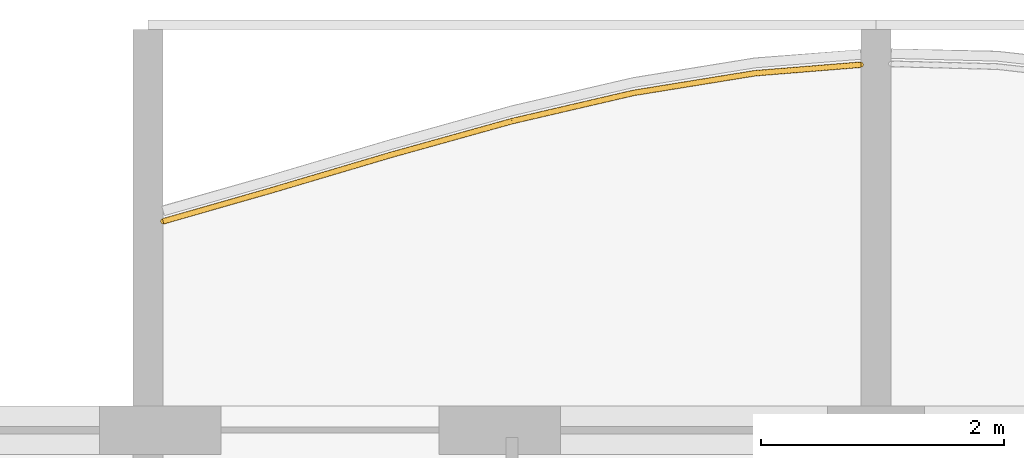
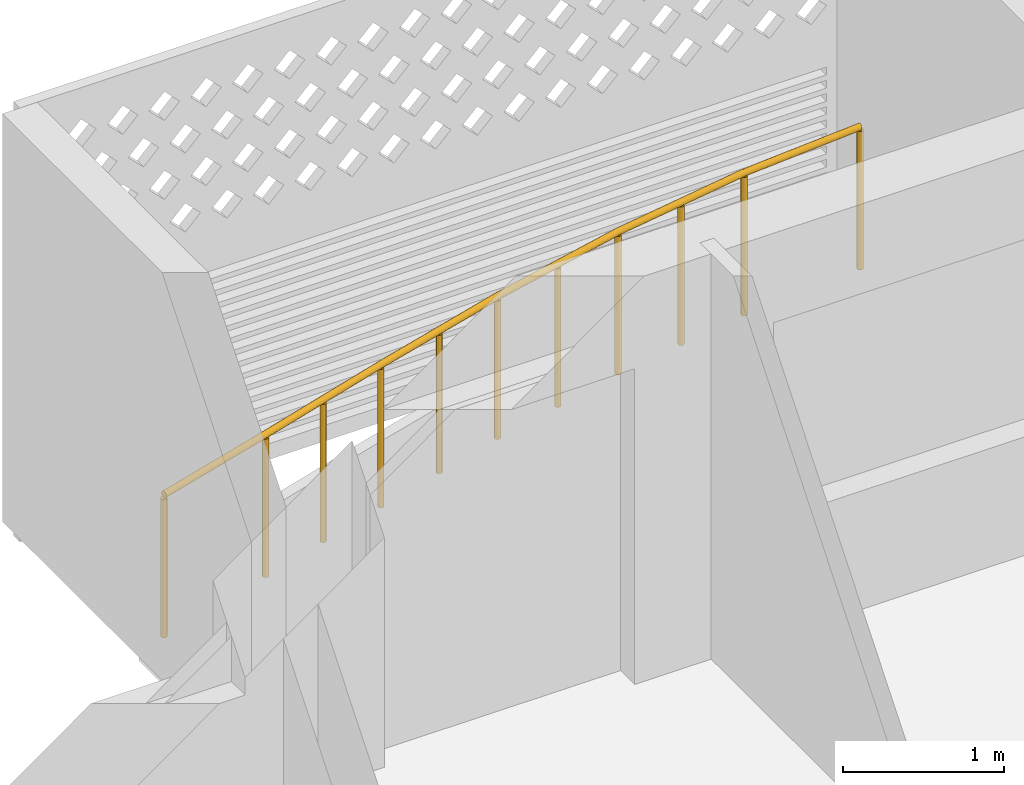
# One storey, part 15 of 26: 1 railing.
"""IFC4 building model written with IfcOpenShell, lengths in metres."""

from ifc_helpers import new_model, si_unit, direction, frame, origin, origin_2d, place, context, subcontext, project, spatial, circle, extrude, material, type_object, element, save


model = new_model("IFC4")

# Units and contexts
model_context = context("Model", 3, precision=1e-05, world=origin(), true_north=direction((0.0, 1.0)))
body_context = subcontext(model_context, "Body", "Model", "MODEL_VIEW")
ifc_project = project(units=[si_unit("LENGTHUNIT", "METRE"), si_unit("AREAUNIT", "SQUARE_METRE"), si_unit("VOLUMEUNIT", "CUBIC_METRE"), si_unit("PLANEANGLEUNIT", "RADIAN"), si_unit("MASSUNIT", "GRAM", prefix="KILO")], contexts=[model_context])

# Site, building, storey
site_placement = place(None, origin())
site = spatial("IfcSite", under=ifc_project, at=site_placement, CompositionType="ELEMENT")
building_placement = place(site_placement, origin())
building = spatial("IfcBuilding", under=site, at=building_placement, Name="Poui Terraces", CompositionType="ELEMENT")
storey_placement = place(building_placement, frame((0.0, 0.0, 228.0)))
storey = spatial("IfcBuildingStorey", under=building, at=storey_placement, Name="L63", CompositionType="ELEMENT", Elevation=228.0)

# Railing
ifc_material = material(Name="Painted steel fretwork", Category="steel")
railing_type = type_object("IfcRailingType", Name="BALCONY GUARD 1100", PredefinedType="GUARDRAIL", material=ifc_material)
railing_placement = place(storey_placement, frame((30.125, 42.9208984375, 0.0)))
element("IfcRailing", 1, at=railing_placement, inside=storey, type_object=railing_type, Name="BALCONY GUARD", PredefinedType="GUARDRAIL", context=body_context, shape_type="SweptSolid", body=[
    extrude(circle(Radius=0.02392578125, at=origin_2d()), frame((0.0, 0.0, 1.076171875), z_axis=(0.961453053843, 0.274969135097, 0.0), x_axis=(-0.274969135097, 0.961453053843, 0.0)), (0.0, 0.0, 1.0), 0.91015625),
    extrude(circle(Radius=0.02392578125, at=origin_2d()), frame((0.875, 0.250244140625, 1.076171875), z_axis=(0.958710700624, 0.284383179018, 0.0), x_axis=(-0.284383179018, 0.958710700624, 0.0)), (0.0, 0.0, 1.0), 1.04296875),
    extrude(circle(Radius=0.02392578125, at=origin_2d()), frame((1.875, 0.546875, 1.076171875), z_axis=(0.963261408291, 0.268565558659, 0.0), x_axis=(-0.268565558659, 0.963261408291, 0.0)), (0.0, 0.0, 1.0), 1.0380859375),
    extrude(circle(Radius=0.02392578125, at=origin_2d()), frame((2.875, 0.82568359375, 1.076171875), z_axis=(0.974037301865, 0.226387576019, 0.0), x_axis=(-0.226387576019, 0.974037301865, 0.0)), (0.0, 0.0, 1.0), 1.026611328125),
    extrude(circle(Radius=0.02392578125, at=origin_2d()), frame((3.875, 1.05810546875, 1.076171875), z_axis=(0.987113709708, 0.160020386535, 0.0), x_axis=(-0.160020386535, 0.987113709708, 0.0)), (0.0, 0.0, 1.0), 1.012939453125),
    extrude(circle(Radius=0.02392578125, at=origin_2d()), frame((4.875, 1.22021484375, 1.076171875), z_axis=(0.996764673802, 0.080375276431, 0.0), x_axis=(-0.080375276431, 0.996764673802, 0.0)), (0.0, 0.0, 1.0), 0.8779296875),
    extrude(circle(Radius=0.02099609375, at=origin_2d()), origin(), (0.0, 0.0, 1.0), 1.052001953125),
    extrude(circle(Radius=0.02099609375, at=origin_2d()), frame((0.875, 0.250244140625, 0.0)), (0.0, 0.0, 1.0), 1.052001953125),
    extrude(circle(Radius=0.02099609375, at=origin_2d()), frame((1.375, 0.3984375, 0.0)), (0.0, 0.0, 1.0), 1.052001953125),
    extrude(circle(Radius=0.02099609375, at=origin_2d()), frame((1.875, 0.546875, 0.0)), (0.0, 0.0, 1.0), 1.052001953125),
    extrude(circle(Radius=0.02099609375, at=origin_2d()), frame((2.375, 0.686279296875, 0.0)), (0.0, 0.0, 1.0), 1.052001953125),
    extrude(circle(Radius=0.02099609375, at=origin_2d()), frame((2.875, 0.82568359375, 0.0)), (0.0, 0.0, 1.0), 1.052001953125),
    extrude(circle(Radius=0.02099609375, at=origin_2d()), frame((3.375, 0.94189453125, 0.0)), (0.0, 0.0, 1.0), 1.052001953125),
    extrude(circle(Radius=0.02099609375, at=origin_2d()), frame((3.875, 1.05810546875, 0.0)), (0.0, 0.0, 1.0), 1.052001953125),
    extrude(circle(Radius=0.02099609375, at=origin_2d()), frame((4.375, 1.13916015625, 0.0)), (0.0, 0.0, 1.0), 1.052001953125),
    extrude(circle(Radius=0.02099609375, at=origin_2d()), frame((4.875, 1.22021484375, 0.0)), (0.0, 0.0, 1.0), 1.052001953125),
    extrude(circle(Radius=0.02099609375, at=origin_2d()), frame((5.75, 1.290771484375, 0.0)), (0.0, 0.0, 1.0), 1.052001953125),
])

save(model, "model.ifc")
